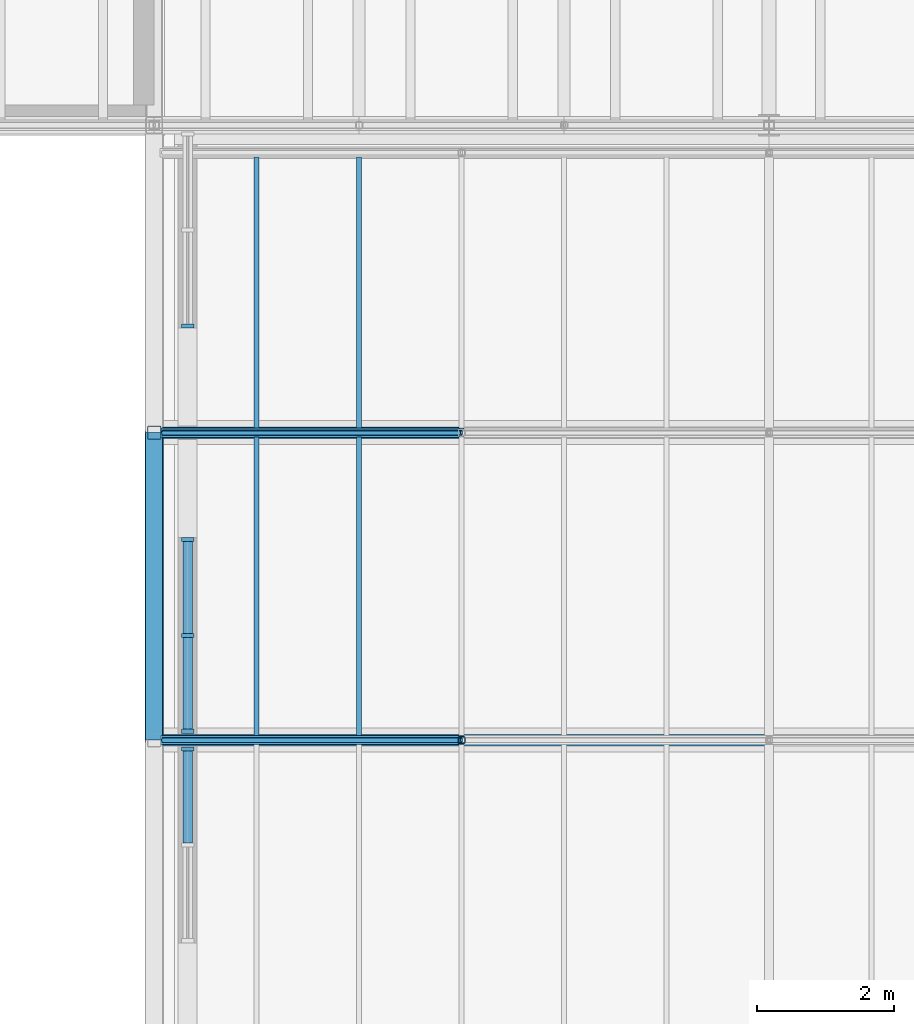
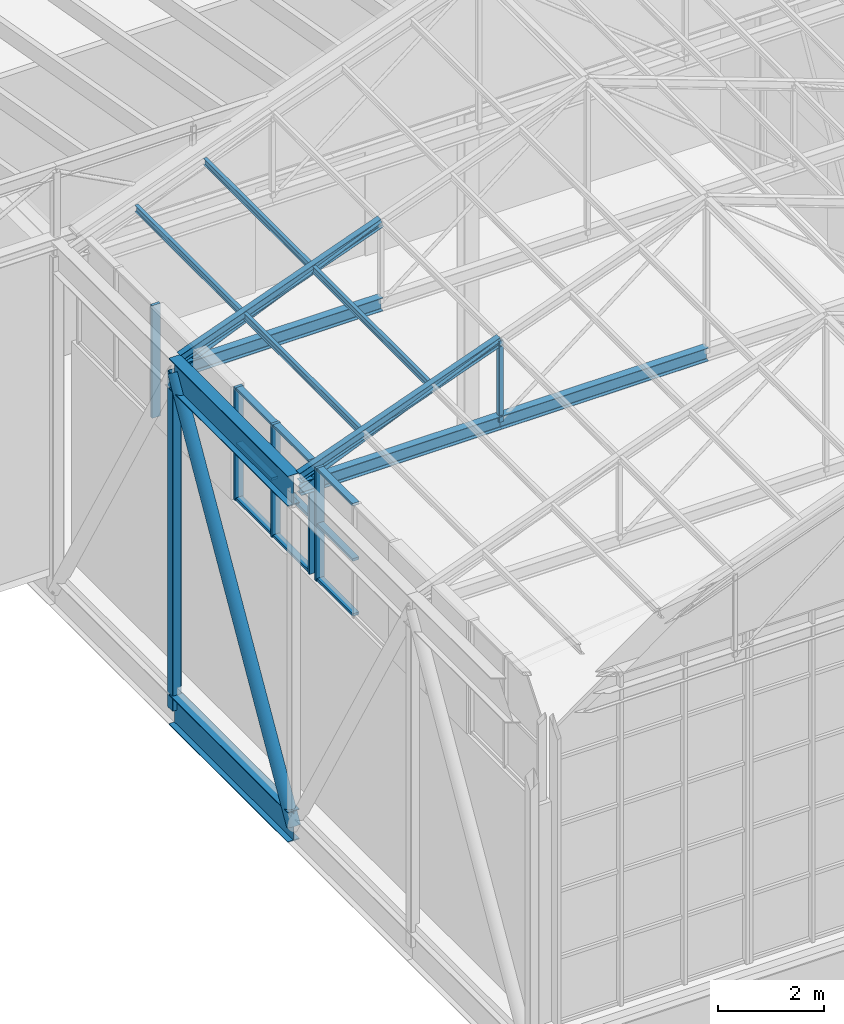
# One storey, part 16 of 90: 30 members, 3 elements without a shape of their own.
"""IFC4 building model written with IfcOpenShell, lengths in metres."""

from ifc_helpers import new_model, si_unit, direction, frame, origin, origin_2d, place, context, subcontext, project, spatial, rectangle, hollow_rectangle, hollow_circle, i_section, extrude, material, layer, layer_set, material_profile, profile_set, type_object, element, aggregate, save


model = new_model("IFC4")

# Units and contexts
model_context = context("Model", 3, precision=1e-05, world=origin(), true_north=direction((0.0, 1.0)))
body_context = subcontext(model_context, "Body", "Model", "MODEL_VIEW")
ifc_project = project(units=[si_unit("LENGTHUNIT", "METRE"), si_unit("AREAUNIT", "SQUARE_METRE"), si_unit("VOLUMEUNIT", "CUBIC_METRE"), si_unit("PLANEANGLEUNIT", "RADIAN"), si_unit("MASSUNIT", "GRAM", prefix="KILO")], contexts=[model_context])

# Site, building, storey
site_placement = place(None, origin())
site = spatial("IfcSite", under=ifc_project, at=site_placement, CompositionType="ELEMENT")
building_placement = place(site_placement, origin())
building = spatial("IfcBuilding", under=site, at=building_placement, Name="Halyard Row Museum", CompositionType="ELEMENT")
storey_placement = place(building_placement, frame((0.0, 0.0, 13.39990234375)))
storey = spatial("IfcBuildingStorey", under=building, at=storey_placement, Name="L03", CompositionType="ELEMENT", Elevation=13.39990234375)

# Curtain wall, member
ifc_material_1 = material(Name="Double glazed unit, low-emissivity", Category="glass")
ifc_layer = layer(ifc_material_1, 0.179931640625)
ifc_layer_set = layer_set([ifc_layer], Name="Double glazed unit, low-emissivity")
curtain_wall_type = type_object("IfcCurtainWallType", Name="Curtain wall stick 180 deep", PredefinedType="NOTDEFINED", material=ifc_layer_set)
curtain_wall_1_placement = place(storey_placement, origin())
curtain_wall_1 = element("IfcCurtainWall", 1, at=curtain_wall_1_placement, inside=storey, type_object=curtain_wall_type, Name="Curtain wall CW068", PredefinedType="NOTDEFINED")
ifc_material_2 = material(Name="Powder-coated aluminium section", Category="aluminium")
ifc_material_profile_1 = material_profile(ifc_material_2, rectangle(XDim=0.179931640625, YDim=0.06005859375, at=origin_2d()), Name="180x60 mullion")
ifc_profile_set_1 = profile_set([ifc_material_profile_1], Name="Powder-coated aluminium section")
member_type_1 = type_object("IfcMemberType", Name="Curtain wall mullion CM2 60 x 180", PredefinedType="MULLION", material=ifc_profile_set_1)
member_1_placement = place(storey_placement, frame((36.489990234375, 8.8701171875, 5.07275390625), z_axis=(0.0, 0.0, 1.0), x_axis=(-1.0, 0.0, 0.0)))
member_1 = element("IfcMember", 2, at=member_1_placement, type_object=member_type_1, Name="CW068 mullion 3", PredefinedType="MULLION", context=body_context, shape_type="SweptSolid", body=[
    extrude(rectangle(XDim=0.179931640625, YDim=0.06005859375, at=origin_2d()), origin(), (0.0, 0.0, 1.0), 2.60009765625),
])

# Curtain wall, members
curtain_wall_2_placement = place(storey_placement, origin())
curtain_wall_2 = element("IfcCurtainWall", 3, at=curtain_wall_2_placement, inside=storey, type_object=curtain_wall_type, Name="Curtain wall CW069", PredefinedType="NOTDEFINED")
member_2_placement = place(storey_placement, frame((36.489990234375, 9.1298828125, 5.07275390625), z_axis=(0.0, 0.0, 1.0), x_axis=(-1.0, 0.0, 0.0)))
member_2 = element("IfcMember", 4, at=member_2_placement, type_object=member_type_1, Name="CW069 mullion 1", PredefinedType="MULLION", context=body_context, shape_type="SweptSolid", body=[
    extrude(rectangle(XDim=0.179931640625, YDim=0.06005859375, at=origin_2d()), origin(), (0.0, 0.0, 1.0), 2.60009765625),
])
member_3_placement = place(storey_placement, frame((36.489990234375, 10.533447265625, 5.07275390625), z_axis=(0.0, 0.0, 1.0), x_axis=(-1.0, 0.0, 0.0)))
member_3 = element("IfcMember", 5, at=member_3_placement, type_object=member_type_1, Name="CW069 mullion 2", PredefinedType="MULLION", context=body_context, shape_type="SweptSolid", body=[
    extrude(rectangle(XDim=0.179931640625, YDim=0.06005859375, at=origin_2d()), origin(), (0.0, 0.0, 1.0), 2.60009765625),
])
member_4_placement = place(storey_placement, frame((36.489990234375, 11.936767578125, 5.07275390625), z_axis=(0.0, 0.0, 1.0), x_axis=(-1.0, 0.0, 0.0)))
member_4 = element("IfcMember", 6, at=member_4_placement, type_object=member_type_1, Name="CW069 mullion 3", PredefinedType="MULLION", context=body_context, shape_type="SweptSolid", body=[
    extrude(rectangle(XDim=0.179931640625, YDim=0.06005859375, at=origin_2d()), origin(), (0.0, 0.0, 1.0), 2.60009765625),
])

# Curtain wall, member
curtain_wall_3_placement = place(storey_placement, origin())
curtain_wall_3 = element("IfcCurtainWall", 7, at=curtain_wall_3_placement, inside=storey, type_object=curtain_wall_type, Name="Curtain wall CW070", PredefinedType="NOTDEFINED")
member_5_placement = place(storey_placement, frame((36.489990234375, 15.063232421875, 5.07275390625), z_axis=(0.0, 0.0, 1.0), x_axis=(-1.0, 0.0, 0.0)))
member_5 = element("IfcMember", 8, at=member_5_placement, type_object=member_type_1, Name="CW070 mullion 1", PredefinedType="MULLION", context=body_context, shape_type="SweptSolid", body=[
    extrude(rectangle(XDim=0.179931640625, YDim=0.06005859375, at=origin_2d()), origin(), (0.0, 0.0, 1.0), 2.60009765625),
])
aggregate(curtain_wall_3, [member_5])

# Member
ifc_material_3 = material(Name="Powder-coated aluminium section", Category="aluminium")
ifc_material_profile_2 = material_profile(ifc_material_3, rectangle(XDim=0.139892578125, YDim=0.06005859375, at=origin_2d()), Name="140x60 transom")
ifc_profile_set_2 = profile_set([ifc_material_profile_2], Name="Powder-coated aluminium section")
member_type_2 = type_object("IfcMemberType", Name="Curtain wall transom CT2 60 x 140", PredefinedType="USERDEFINED", material=ifc_profile_set_2)
member_6_placement = place(storey_placement, frame((36.489990234375, 7.49658203125, 5.102783203125), z_axis=(0.0, 1.0, 0.0), x_axis=(-1.0, 0.0, 0.0)))
member_6 = element("IfcMember", 9, at=member_6_placement, type_object=member_type_2, Name="CW068 transom 2.1", ObjectType="TRANSOM", PredefinedType="USERDEFINED", context=body_context, shape_type="SweptSolid", body=[
    extrude(rectangle(XDim=0.139892578125, YDim=0.06005859375, at=origin_2d()), origin(), (0.0, 0.0, 1.0), 1.343505859375),
])

member_7_placement = place(storey_placement, frame((36.489990234375, 7.49658203125, 6.372802734375), z_axis=(0.0, 1.0, 0.0), x_axis=(-1.0, 0.0, 0.0)))
member_7 = element("IfcMember", 10, at=member_7_placement, type_object=member_type_2, Name="CW068 transom 2.2", ObjectType="TRANSOM", PredefinedType="USERDEFINED", context=body_context, shape_type="SweptSolid", body=[
    extrude(rectangle(XDim=0.139892578125, YDim=0.06005859375, at=origin_2d()), origin(), (0.0, 0.0, 1.0), 1.343505859375),
])

member_8_placement = place(storey_placement, frame((36.489990234375, 7.49658203125, 7.642822265625), z_axis=(0.0, 1.0, 0.0), x_axis=(-1.0, 0.0, 0.0)))
member_8 = element("IfcMember", 11, at=member_8_placement, type_object=member_type_2, Name="CW068 transom 2.3", ObjectType="TRANSOM", PredefinedType="USERDEFINED", context=body_context, shape_type="SweptSolid", body=[
    extrude(rectangle(XDim=0.139892578125, YDim=0.06005859375, at=origin_2d()), origin(), (0.0, 0.0, 1.0), 1.343505859375),
])

aggregate(curtain_wall_1, [member_1, member_6, member_7, member_8])

member_9_placement = place(storey_placement, frame((36.489990234375, 9.159912109375, 5.102783203125), z_axis=(0.0, 1.0, 0.0), x_axis=(-1.0, 0.0, 0.0)))
member_9 = element("IfcMember", 12, at=member_9_placement, type_object=member_type_2, Name="CW069 transom 1.1", ObjectType="TRANSOM", PredefinedType="USERDEFINED", context=body_context, shape_type="SweptSolid", body=[
    extrude(rectangle(XDim=0.139892578125, YDim=0.06005859375, at=origin_2d()), origin(), (0.0, 0.0, 1.0), 1.343505859375),
])

member_10_placement = place(storey_placement, frame((36.489990234375, 9.159912109375, 6.372802734375), z_axis=(0.0, 1.0, 0.0), x_axis=(-1.0, 0.0, 0.0)))
member_10 = element("IfcMember", 13, at=member_10_placement, type_object=member_type_2, Name="CW069 transom 1.2", ObjectType="TRANSOM", PredefinedType="USERDEFINED", context=body_context, shape_type="SweptSolid", body=[
    extrude(rectangle(XDim=0.139892578125, YDim=0.06005859375, at=origin_2d()), origin(), (0.0, 0.0, 1.0), 1.343505859375),
])

member_11_placement = place(storey_placement, frame((36.489990234375, 9.159912109375, 7.642822265625), z_axis=(0.0, 1.0, 0.0), x_axis=(-1.0, 0.0, 0.0)))
member_11 = element("IfcMember", 14, at=member_11_placement, type_object=member_type_2, Name="CW069 transom 1.3", ObjectType="TRANSOM", PredefinedType="USERDEFINED", context=body_context, shape_type="SweptSolid", body=[
    extrude(rectangle(XDim=0.139892578125, YDim=0.06005859375, at=origin_2d()), origin(), (0.0, 0.0, 1.0), 1.343505859375),
])

member_12_placement = place(storey_placement, frame((36.489990234375, 10.563232421875, 5.102783203125), z_axis=(0.0, 1.0, 0.0), x_axis=(-1.0, 0.0, 0.0)))
member_12 = element("IfcMember", 15, at=member_12_placement, type_object=member_type_2, Name="CW069 transom 2.1", ObjectType="TRANSOM", PredefinedType="USERDEFINED", context=body_context, shape_type="SweptSolid", body=[
    extrude(rectangle(XDim=0.139892578125, YDim=0.06005859375, at=origin_2d()), origin(), (0.0, 0.0, 1.0), 1.343505859375),
])

member_13_placement = place(storey_placement, frame((36.489990234375, 10.563232421875, 6.372802734375), z_axis=(0.0, 1.0, 0.0), x_axis=(-1.0, 0.0, 0.0)))
member_13 = element("IfcMember", 16, at=member_13_placement, type_object=member_type_2, Name="CW069 transom 2.2", ObjectType="TRANSOM", PredefinedType="USERDEFINED", context=body_context, shape_type="SweptSolid", body=[
    extrude(rectangle(XDim=0.139892578125, YDim=0.06005859375, at=origin_2d()), origin(), (0.0, 0.0, 1.0), 1.343505859375),
])

member_14_placement = place(storey_placement, frame((36.489990234375, 10.563232421875, 7.642822265625), z_axis=(0.0, 1.0, 0.0), x_axis=(-1.0, 0.0, 0.0)))
member_14 = element("IfcMember", 17, at=member_14_placement, type_object=member_type_2, Name="CW069 transom 2.3", ObjectType="TRANSOM", PredefinedType="USERDEFINED", context=body_context, shape_type="SweptSolid", body=[
    extrude(rectangle(XDim=0.139892578125, YDim=0.06005859375, at=origin_2d()), origin(), (0.0, 0.0, 1.0), 1.343505859375),
])

aggregate(curtain_wall_2, [member_2, member_3, member_4, member_9, member_10, member_11, member_12, member_13, member_14])

# Members
ifc_material_4 = material(Name="Steel Grade 300", Category="steel")
ifc_material_profile_3 = material_profile(ifc_material_4, i_section(OverallWidth=0.074951171875, OverallDepth=0.155029296875, WebThickness=0.006103515625, FlangeThickness=0.009521484375, FilletRadius=0.008056640625, at=origin_2d()), Name="150UB18.0")
ifc_profile_set_3 = profile_set([ifc_material_profile_3], Name="Steel Grade 300")
member_type_3 = type_object("IfcMemberType", Name="Purlin 150UB18.0", PredefinedType="PURLIN", material=ifc_profile_set_3)
member_15_placement = place(storey_placement, frame((37.5, 9.06640625, 8.0302734375), z_axis=(0.0, 1.0, 0.0), x_axis=(-1.0, 0.0, 0.0)))
element("IfcMember", 18, at=member_15_placement, inside=storey, type_object=member_type_3, Name="V4 purlin PL1.3", PredefinedType="PURLIN", context=body_context, shape_type="SweptSolid", body=[
    extrude(i_section(OverallWidth=0.074951171875, OverallDepth=0.155029296875, WebThickness=0.006103515625, FlangeThickness=0.009521484375, FilletRadius=0.008056640625, at=origin_2d()), origin(), (0.0, 0.0, 1.0), 4.3671875),
])
member_16_placement = place(storey_placement, frame((37.5, 13.56640625, 8.0302734375), z_axis=(0.0, 1.0, 0.0), x_axis=(-1.0, 0.0, 0.0)))
element("IfcMember", 19, at=member_16_placement, inside=storey, type_object=member_type_3, Name="V4 purlin PL1.4", PredefinedType="PURLIN", context=body_context, shape_type="SweptSolid", body=[
    extrude(i_section(OverallWidth=0.074951171875, OverallDepth=0.155029296875, WebThickness=0.006103515625, FlangeThickness=0.009521484375, FilletRadius=0.008056640625, at=origin_2d()), origin(), (0.0, 0.0, 1.0), 3.967041015625),
])
member_17_placement = place(storey_placement, frame((39.0, 9.06640625, 8.581787109375), z_axis=(0.0, 1.0, 0.0), x_axis=(-1.0, 0.0, 0.0)))
element("IfcMember", 20, at=member_17_placement, inside=storey, type_object=member_type_3, Name="V4 purlin PL2.3", PredefinedType="PURLIN", context=body_context, shape_type="SweptSolid", body=[
    extrude(i_section(OverallWidth=0.074951171875, OverallDepth=0.155029296875, WebThickness=0.006103515625, FlangeThickness=0.009521484375, FilletRadius=0.008056640625, at=origin_2d()), origin(), (0.0, 0.0, 1.0), 4.3671875),
])
member_18_placement = place(storey_placement, frame((39.0, 13.56640625, 8.581787109375), z_axis=(0.0, 1.0, 0.0), x_axis=(-1.0, 0.0, 0.0)))
element("IfcMember", 21, at=member_18_placement, inside=storey, type_object=member_type_3, Name="V4 purlin PL2.4", PredefinedType="PURLIN", context=body_context, shape_type="SweptSolid", body=[
    extrude(i_section(OverallWidth=0.074951171875, OverallDepth=0.155029296875, WebThickness=0.006103515625, FlangeThickness=0.009521484375, FilletRadius=0.008056640625, at=origin_2d()), origin(), (0.0, 0.0, 1.0), 3.967041015625),
])
ifc_material_5 = material(Name="Steel Grade C250L0", Category="steel")
ifc_material_profile_4 = material_profile(ifc_material_5, hollow_circle(Radius=0.0380859375, WallThickness=0.00439453125, at=origin_2d()), Name="76.1x4.5CHS")
ifc_profile_set_4 = profile_set([ifc_material_profile_4], Name="Steel Grade C250L0")
member_type_4 = type_object("IfcMemberType", Name="Roof truss diagonal 76.1x4.5CHS", PredefinedType="BRACE", material=ifc_profile_set_4)
for number, where, z_axis, x_axis, name in (
    (22, (36.125, 9.0, 7.2490234375), (0.91964597722, 0.0, 0.392748362928), (0.0, 1.0, 0.0), "V4RT3 diagonal 1"),
    (23, (36.125, 13.5, 7.2490234375), (0.91964597722, 0.0, 0.392748362928), (0.0, 1.0, 0.0), "V4RT4 diagonal 1"),
):
    element("IfcMember", number, at=place(storey_placement, frame(where, z_axis=z_axis, x_axis=x_axis)), inside=storey, type_object=member_type_4, Name=name, PredefinedType="BRACE", context=body_context, shape_type="SweptSolid", body=[
        extrude(hollow_circle(Radius=0.0380859375, WallThickness=0.00439453125, at=origin_2d()), origin(), (0.0, 0.0, 1.0), 4.75732421875),
    ])
ifc_material_6 = material(Name="Steel Grade C350L0", Category="steel")
ifc_material_profile_5 = material_profile(ifc_material_6, hollow_rectangle(XDim=0.10009765625, YDim=0.10009765625, WallThickness=0.006103515625, InnerFilletRadius=0.009033203125, OuterFilletRadius=0.014892578125, at=origin_2d()), Name="100x100x6.0SHS")
ifc_profile_set_5 = profile_set([ifc_material_profile_5], Name="Steel Grade C350L0")
member_type_5 = type_object("IfcMemberType", Name="Roof truss post 100x100x6.0SHS", PredefinedType="POST", material=ifc_profile_set_5)
member_19_placement = place(storey_placement, frame((40.5, 9.0, 7.2490234375), z_axis=(0.0, 0.0, 1.0), x_axis=(1.0, 0.0, 0.0)))
element("IfcMember", 24, at=member_19_placement, inside=storey, type_object=member_type_5, Name="V4RT3 post 1", PredefinedType="POST", context=body_context, shape_type="SweptSolid", body=[
    extrude(hollow_rectangle(XDim=0.10009765625, YDim=0.10009765625, WallThickness=0.006103515625, InnerFilletRadius=0.009033203125, OuterFilletRadius=0.014892578125, at=origin_2d()), origin(), (0.0, 0.0, 1.0), 1.868408203125),
])
ifc_material_7 = material(Name="Steel Grade 300", Category="steel")
ifc_material_profile_6 = material_profile(ifc_material_7, i_section(OverallWidth=0.133056640625, OverallDepth=0.20166015625, WebThickness=0.0048828125, FlangeThickness=0.007080078125, FilletRadius=0.0087890625, at=origin_2d()), Name="200UB22.3")
ifc_profile_set_6 = profile_set([ifc_material_profile_6], Name="Steel Grade 300")
member_type_6 = type_object("IfcMemberType", Name="Roof truss rafter 200UB22.3 rafter", PredefinedType="RAFTER", material=ifc_profile_set_6)
for number, where, z_axis, x_axis, name in (
    (25, (36.125, 9.0, 7.50830078125), (0.938531649117, 0.0, 0.345193197507), (0.0, 1.0, 0.0), "V4RT3 rafter 1"),
    (26, (36.125, 13.5, 7.50830078125), (0.938531649117, 0.0, 0.345193197507), (0.0, 1.0, 0.0), "V4RT4 rafter 1"),
):
    element("IfcMember", number, at=place(storey_placement, frame(where, z_axis=z_axis, x_axis=x_axis)), inside=storey, type_object=member_type_6, Name=name, PredefinedType="RAFTER", context=body_context, shape_type="SweptSolid", body=[
        extrude(i_section(OverallWidth=0.133056640625, OverallDepth=0.20166015625, WebThickness=0.0048828125, FlangeThickness=0.007080078125, FilletRadius=0.0087890625, at=origin_2d()), origin(), (0.0, 0.0, 1.0), 4.66162109375),
    ])
ifc_material_8 = material(Name="Steel Grade 300", Category="steel")
ifc_material_profile_7 = material_profile(ifc_material_8, i_section(OverallWidth=0.1650390625, OverallDepth=0.303955078125, WebThickness=0.006103515625, FlangeThickness=0.01025390625, FilletRadius=0.011474609375, at=origin_2d()), Name="310UB40.4")
ifc_profile_set_7 = profile_set([ifc_material_profile_7], Name="Steel Grade 300")
member_type_7 = type_object("IfcMemberType", Name="Roof truss tie 310UB40.4 tie", PredefinedType="CHORD", material=ifc_profile_set_7)
member_20_placement = place(storey_placement, frame((36.125, 9.0, 7.2490234375), z_axis=(1.0, 0.0, 0.0), x_axis=(0.0, 1.0, 0.0)))
element("IfcMember", 27, at=member_20_placement, inside=storey, type_object=member_type_7, Name="V4RT3 tie 1", PredefinedType="CHORD", context=body_context, shape_type="SweptSolid", body=[
    extrude(i_section(OverallWidth=0.1650390625, OverallDepth=0.303955078125, WebThickness=0.006103515625, FlangeThickness=0.01025390625, FilletRadius=0.011474609375, at=origin_2d()), origin(), (0.0, 0.0, 1.0), 4.375),
])
member_21_placement = place(storey_placement, frame((40.5, 9.0, 7.2490234375), z_axis=(1.0, 0.0, 0.0), x_axis=(0.0, 1.0, 0.0)))
element("IfcMember", 28, at=member_21_placement, inside=storey, type_object=member_type_7, Name="V4RT3 tie 2", PredefinedType="CHORD", context=body_context, shape_type="SweptSolid", body=[
    extrude(i_section(OverallWidth=0.1650390625, OverallDepth=0.303955078125, WebThickness=0.006103515625, FlangeThickness=0.01025390625, FilletRadius=0.011474609375, at=origin_2d()), origin(), (0.0, 0.0, 1.0), 4.5),
])
member_22_placement = place(storey_placement, frame((36.125, 13.5, 7.2490234375), z_axis=(1.0, 0.0, 0.0), x_axis=(0.0, 1.0, 0.0)))
element("IfcMember", 29, at=member_22_placement, inside=storey, type_object=member_type_7, Name="V4RT4 tie 1", PredefinedType="CHORD", context=body_context, shape_type="SweptSolid", body=[
    extrude(i_section(OverallWidth=0.1650390625, OverallDepth=0.303955078125, WebThickness=0.006103515625, FlangeThickness=0.01025390625, FilletRadius=0.011474609375, at=origin_2d()), origin(), (0.0, 0.0, 1.0), 4.375),
])
ifc_material_9 = material(Name="Steel Grade 300", Category="steel")
ifc_material_profile_8 = material_profile(ifc_material_9, i_section(OverallWidth=0.25, OverallDepth=0.699951171875, WebThickness=0.010009765625, FlangeThickness=0.02001953125, at=origin_2d()), Name="700WB130")
ifc_profile_set_8 = profile_set([ifc_material_profile_8], Name="Steel Grade 300")
member_type_8 = type_object("IfcMemberType", Name="Transfer truss chord 700WB130 bottom", PredefinedType="CHORD", material=ifc_profile_set_8)
member_23_placement = place(storey_placement, frame((36.0, 9.0, -0.514892578125), z_axis=(0.0, 1.0, 0.0), x_axis=(-1.0, 0.0, 0.0)))
element("IfcMember", 30, at=member_23_placement, inside=storey, type_object=member_type_8, Name="TT1 bottom chord 3", PredefinedType="CHORD", context=body_context, shape_type="SweptSolid", body=[
    extrude(i_section(OverallWidth=0.25, OverallDepth=0.699951171875, WebThickness=0.010009765625, FlangeThickness=0.02001953125, at=origin_2d()), origin(), (0.0, 0.0, 1.0), 4.5),
])
ifc_material_10 = material(Name="Steel Grade 300", Category="steel")
ifc_material_profile_9 = material_profile(ifc_material_10, i_section(OverallWidth=0.25, OverallDepth=0.699951171875, WebThickness=0.010009765625, FlangeThickness=0.02001953125, at=origin_2d()), Name="700WB130")
ifc_profile_set_9 = profile_set([ifc_material_profile_9], Name="Steel Grade 300")
member_type_9 = type_object("IfcMemberType", Name="Transfer truss chord 700WB130 top", PredefinedType="CHORD", material=ifc_profile_set_9)
member_24_placement = place(storey_placement, frame((36.0, 9.0, 7.22998046875), z_axis=(0.0, 1.0, 0.0), x_axis=(-1.0, 0.0, 0.0)))
element("IfcMember", 31, at=member_24_placement, inside=storey, type_object=member_type_9, Name="TT1 top chord 3", PredefinedType="CHORD", context=body_context, shape_type="SweptSolid", body=[
    extrude(i_section(OverallWidth=0.25, OverallDepth=0.699951171875, WebThickness=0.010009765625, FlangeThickness=0.02001953125, at=origin_2d()), origin(), (0.0, 0.0, 1.0), 4.5),
])
ifc_material_11 = material(Name="Steel Grade C350L0", Category="steel")
ifc_material_profile_10 = material_profile(ifc_material_11, hollow_circle(Radius=0.136474609375, WallThickness=0.00927734375, at=origin_2d()), Name="273.1x9.3CHS")
ifc_profile_set_10 = profile_set([ifc_material_profile_10], Name="Steel Grade C350L0")
member_type_10 = type_object("IfcMemberType", Name="Transfer truss diagonal 273.1x9.3CHS", PredefinedType="BRACE", material=ifc_profile_set_10)
member_25_placement = place(storey_placement, frame((36.0, 9.0, -0.514892578125), z_axis=(0.0, 0.502384046634, 0.864644591545), x_axis=(-1.0, 0.0, 0.0)))
element("IfcMember", 32, at=member_25_placement, inside=storey, type_object=member_type_10, Name="TT1 diagonal 3", PredefinedType="BRACE", context=body_context, shape_type="SweptSolid", body=[
    extrude(hollow_circle(Radius=0.136474609375, WallThickness=0.00927734375, at=origin_2d()), origin(), (0.0, 0.0, 1.0), 8.957275390625),
])
ifc_material_12 = material(Name="Steel Grade C350L0", Category="steel")
ifc_material_profile_11 = material_profile(ifc_material_12, hollow_rectangle(XDim=0.199951171875, YDim=0.199951171875, WallThickness=0.009033203125, InnerFilletRadius=0.013427734375, OuterFilletRadius=0.0224609375, at=origin_2d()), Name="200x200x9.0SHS")
ifc_profile_set_11 = profile_set([ifc_material_profile_11], Name="Steel Grade C350L0")
member_type_11 = type_object("IfcMemberType", Name="Transfer truss post 200x200x9.0SHS", PredefinedType="POST", material=ifc_profile_set_11)
member_26_placement = place(storey_placement, frame((36.0, 13.5, -0.514892578125), z_axis=(0.0, 0.0, 1.0), x_axis=(1.0, 0.0, 0.0)))
element("IfcMember", 33, at=member_26_placement, inside=storey, type_object=member_type_11, Name="TT1 post 4", PredefinedType="POST", context=body_context, shape_type="SweptSolid", body=[
    extrude(hollow_rectangle(XDim=0.199951171875, YDim=0.199951171875, WallThickness=0.009033203125, InnerFilletRadius=0.013427734375, OuterFilletRadius=0.0224609375, at=origin_2d()), origin(), (0.0, 0.0, 1.0), 7.744873046875),
])

save(model, "model.ifc")
